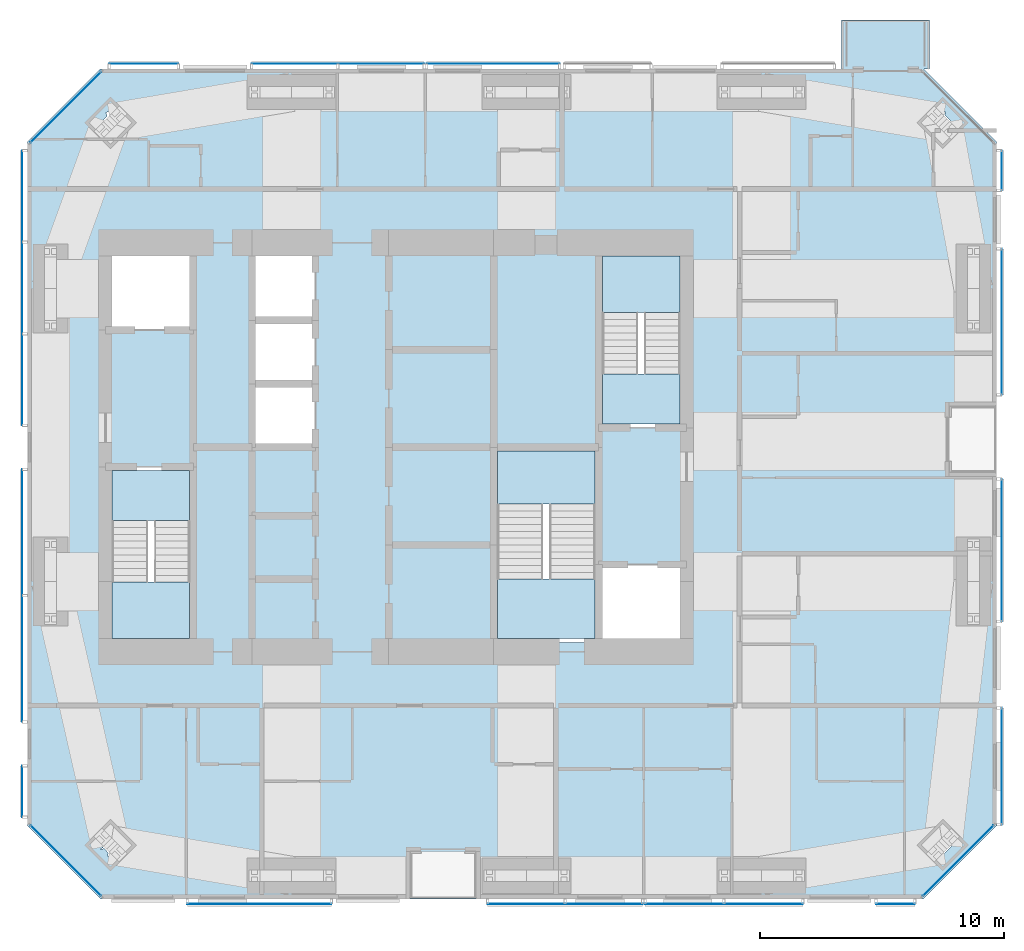
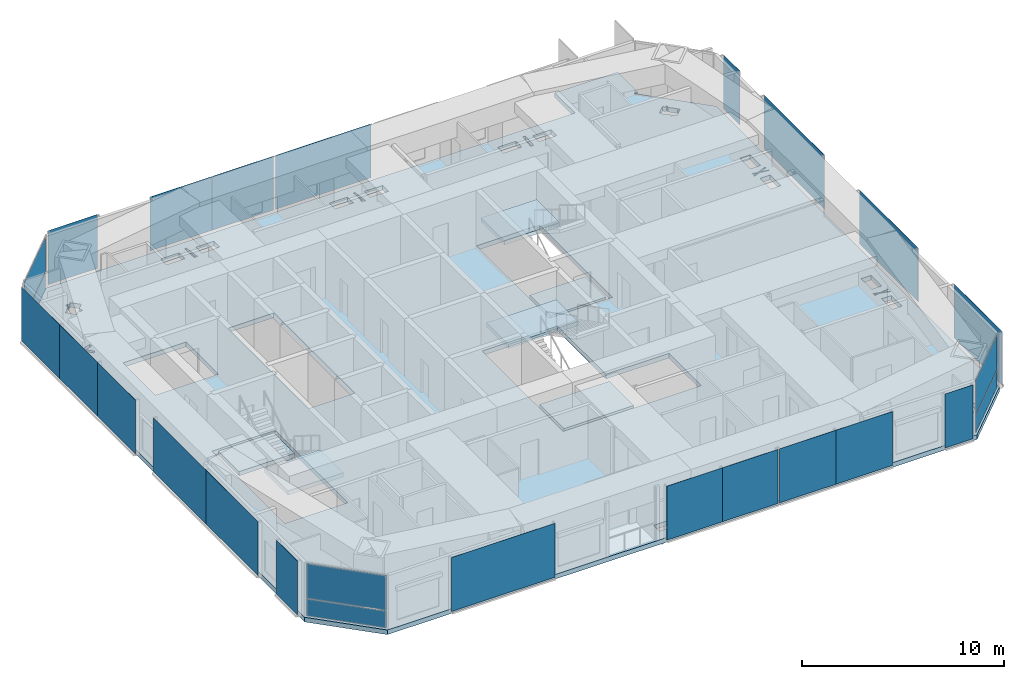
# One storey, part 12 of 19: 26 plates, 7 slabs, 20 elements without a shape of their own.
"""IFC4 building model written with IfcOpenShell, lengths in metres."""

import ifcopenshell
import ifcopenshell.guid

model = None  # the IFC model being written
_history = None  # IfcOwnerHistory: only IFC2X3 demands one
_inside = {}  # id of a spatial element -> (the spatial element, [elements in it])
_under = {}  # id of a project, library or spatial element -> (it, [spatial elements below it])
_declared = {}  # id of a project -> (the project, [libraries it declares])
_typed = {}  # id of a type object -> (the type object, [elements of that type])
_made_of = {}  # id of a material, layer set ... -> (it, [elements and type objects made of it])


def new_model(schema):
    """Start an empty IFC model of exactly this schema.

    Asked for "IFC4X3", IfcOpenShell would pick the latest addendum, in which some entities
    have other attributes; the version numbers below select the first issue.
    IFC2X3 requires an IfcOwnerHistory on every rooted entity: one is made here for all.
    """
    global model, _history
    if schema == "IFC4X3":
        model = ifcopenshell.file(schema_version=(4, 3, 0, 0))
    else:
        model = ifcopenshell.file(schema=schema)
    _inside.clear()
    _under.clear()
    _declared.clear()
    _typed.clear()
    _made_of.clear()
    _history = None
    if model.schema == "IFC2X3":
        org = make("IfcOrganization", Name="unknown")
        user = make(
            "IfcPersonAndOrganization",
            ThePerson=make("IfcPerson", FamilyName="unknown"),
            TheOrganization=org,
        )
        app = make(
            "IfcApplication",
            ApplicationDeveloper=org,
            Version="unknown",
            ApplicationFullName="unknown",
            ApplicationIdentifier="unknown",
        )
        _history = make(
            "IfcOwnerHistory",
            OwningUser=user,
            OwningApplication=app,
            ChangeAction="ADDED",
            CreationDate=0,
        )
    return model


def make(cls, **values):
    """One entity of the class cls with the attributes given. An attribute that is None is left unset."""
    return model.create_entity(
        cls, **{name: value for name, value in values.items() if value is not None}
    )


def rooted(cls, **values):
    """An entity with a GlobalId (a new one), such as an element, a storey or a relation."""
    return make(cls, GlobalId=ifcopenshell.guid.new(), OwnerHistory=_history, **values)


def si_unit(unit_type, name, prefix=None):
    """IfcSIUnit, for example si_unit("LENGTHUNIT", "METRE", prefix="MILLI")."""
    return make("IfcSIUnit", UnitType=unit_type, Prefix=prefix, Name=name)


def assignment(units):
    """IfcUnitAssignment: the units of a project."""
    return None if units is None else make("IfcUnitAssignment", Units=units)


def point(xyz):
    """IfcCartesianPoint."""
    return None if xyz is None else make("IfcCartesianPoint", Coordinates=xyz)


def direction(xyz):
    """IfcDirection."""
    return None if xyz is None else make("IfcDirection", DirectionRatios=xyz)


def frame(location, z_axis=None, x_axis=None):
    """IfcAxis2Placement3D, a coordinate frame: its origin and axes. An axis left out is left unset."""
    return make(
        "IfcAxis2Placement3D",
        Location=point(location),
        Axis=direction(z_axis),
        RefDirection=direction(x_axis),
    )


def frame_2d(location, x_axis=None):
    """IfcAxis2Placement2D, a coordinate frame in the plane: its origin and x axis."""
    return make(
        "IfcAxis2Placement2D", Location=point(location), RefDirection=direction(x_axis)
    )


def origin():
    """The frame at (0, 0, 0) with its axes left unset."""
    return frame((0.0, 0.0, 0.0))


def origin_2d():
    """The frame at (0, 0) in the plane with its x axis left unset."""
    return frame_2d((0.0, 0.0))


def place(relative_to, where):
    """IfcLocalPlacement: puts the frame where relative to a parent placement (None: the world)."""
    return make(
        "IfcLocalPlacement", PlacementRelTo=relative_to, RelativePlacement=where
    )


def context(
    kind, dimensions, precision=None, world=None, true_north=None, identifier=None
):
    """IfcGeometricRepresentationContext, for example the 3D "Model" context."""
    return make(
        "IfcGeometricRepresentationContext",
        ContextIdentifier=identifier,
        ContextType=kind,
        CoordinateSpaceDimension=dimensions,
        Precision=precision,
        WorldCoordinateSystem=world,
        TrueNorth=true_north,
    )


def subcontext(parent, identifier, kind, view, scale=None):
    """IfcGeometricRepresentationSubContext, for example "Body" below "Model"."""
    return make(
        "IfcGeometricRepresentationSubContext",
        ContextIdentifier=identifier,
        ContextType=kind,
        ParentContext=parent,
        TargetScale=scale,
        TargetView=view,
    )


def project(units=None, contexts=None):
    """IfcProject with its units and contexts."""
    return rooted(
        "IfcProject",
        Name="project",
        RepresentationContexts=contexts,
        UnitsInContext=assignment(units),
    )


def spatial(cls, under=None, at=None, **own):
    """A site, building, storey or space (cls), placed at a placement, below another one or the project."""
    s = rooted(cls, ObjectPlacement=at, **own)
    if under is not None:
        _under.setdefault(under.id(), (under, []))[1].append(s)
    return s


def polyline(points):
    """IfcPolyline through the points."""
    return make("IfcPolyline", Points=[point(p) for p in points])


def profile(cls, at=None, kind="AREA", **sizes):
    """A parametric profile (cls). Its sizes go by their IFC names, for example OverallWidth=200.0."""
    return make(cls, ProfileType=kind, Position=at, **sizes)


def rectangle(**sizes):
    """IfcRectangleProfileDef."""
    return profile("IfcRectangleProfileDef", **sizes)


def outline(outer, holes=None, kind="AREA"):
    """IfcArbitraryClosedProfileDef: a profile drawn as a closed curve; with holes, ...WithVoids."""
    if holes is None:
        return make("IfcArbitraryClosedProfileDef", ProfileType=kind, OuterCurve=outer)
    return make(
        "IfcArbitraryProfileDefWithVoids",
        ProfileType=kind,
        OuterCurve=outer,
        InnerCurves=holes,
    )


def extrude(swept, where, along, depth):
    """IfcExtrudedAreaSolid: the profile swept, set in the frame where, extruded along a direction by depth."""
    return make(
        "IfcExtrudedAreaSolid",
        SweptArea=swept,
        Position=where,
        ExtrudedDirection=direction(along),
        Depth=depth,
    )


def shape(context_of_items, identifier, shape_type, items):
    """IfcShapeRepresentation: the items that make up one representation, for example the "Body"."""
    return make(
        "IfcShapeRepresentation",
        ContextOfItems=context_of_items,
        RepresentationIdentifier=identifier,
        RepresentationType=shape_type,
        Items=items,
    )


def material(Name=None, Category=None):
    """IfcMaterial."""
    return make("IfcMaterial", Name=Name, Category=Category)


def layer(
    of_material, thickness, ventilated=None, Name=None, Category=None, Priority=None
):
    """IfcMaterialLayer: one layer of a wall or slab, of a material (None: an air gap)."""
    return make(
        "IfcMaterialLayer",
        Material=of_material,
        LayerThickness=thickness,
        IsVentilated=ventilated,
        Name=Name,
        Category=Category,
        Priority=Priority,
    )


def layer_set(layers, Name=None):
    """IfcMaterialLayerSet."""
    return make("IfcMaterialLayerSet", MaterialLayers=layers, LayerSetName=Name)


def made_of(thing, what):
    """Note that an element or type object is made of a material, layer set ...; save() writes the relation."""
    if what is not None:
        _made_of.setdefault(what.id(), (what, []))[1].append(thing)
    return thing


def type_object(cls, material=None, **own):
    """A type object (cls), such as IfcWallType, which elements share."""
    return made_of(rooted(cls, **own), material)


def element(
    cls,
    number,
    at=None,
    inside=None,
    cuts=None,
    type_object=None,
    material=None,
    context=None,
    identifier="Body",
    shape_type=None,
    held_by="IfcProductDefinitionShape",
    body=None,
    shapes=None,
    **own,
):
    """One element of the class cls, such as IfcWall. Its Tag is "e" and its number.

    at: its placement. inside: the storey or other place that contains it. cuts: it is an
    opening in that element (IfcRelVoidsElement). A single representation is given by context,
    identifier, shape_type and body (its items); several are given by shapes. held_by: the class
    of the entity that holds the representations. save() writes the other relations.
    """
    e = rooted(cls, Tag="e%d" % number, ObjectPlacement=at, **own)
    if body is not None:
        shapes = [shape(context, identifier, shape_type, body)]
    if shapes is not None:
        e.Representation = make(held_by, Representations=shapes)
    if inside is not None:
        _inside.setdefault(inside.id(), (inside, []))[1].append(e)
    if cuts is not None:
        rooted(
            "IfcRelVoidsElement", RelatingBuildingElement=cuts, RelatedOpeningElement=e
        )
    if type_object is not None:
        _typed.setdefault(type_object.id(), (type_object, []))[1].append(e)
    return made_of(e, material)


def aggregate(whole, parts):
    """IfcRelAggregates: a whole, such as a stair, and the parts it consists of."""
    return rooted("IfcRelAggregates", RelatingObject=whole, RelatedObjects=parts)


def save(model, path):
    """Write the relations noted so far, then the file.

    IfcRelAggregates (storeys below a building ...), IfcRelContainedInSpatialStructure (elements
    in a storey), IfcRelDefinesByType, IfcRelAssociatesMaterial and IfcRelDeclares: one each for
    every whole, place, type object, material and project.
    """
    for whole, parts in _under.values():
        aggregate(whole, parts)
    for where, things in _inside.values():
        rooted(
            "IfcRelContainedInSpatialStructure",
            RelatedElements=things,
            RelatingStructure=where,
        )
    for kind, things in _typed.values():
        rooted("IfcRelDefinesByType", RelatedObjects=things, RelatingType=kind)
    for what, things in _made_of.values():
        rooted("IfcRelAssociatesMaterial", RelatedObjects=things, RelatingMaterial=what)
    for by, libraries in _declared.values():
        rooted("IfcRelDeclares", RelatingContext=by, RelatedDefinitions=libraries)
    model.write(path)


model = new_model("IFC4")

# Units and contexts
model_context = context("Model", 3, precision=1e-05, world=origin(), true_north=direction((0.0, 1.0)))
body_context = subcontext(model_context, "Body", "Model", "MODEL_VIEW")
ifc_project = project(units=[si_unit("LENGTHUNIT", "METRE"), si_unit("AREAUNIT", "SQUARE_METRE"), si_unit("VOLUMEUNIT", "CUBIC_METRE"), si_unit("PLANEANGLEUNIT", "RADIAN"), si_unit("MASSUNIT", "GRAM", prefix="KILO")], contexts=[model_context])

# Site, building, storey
site_placement = place(None, origin())
site = spatial("IfcSite", under=ifc_project, at=site_placement, CompositionType="ELEMENT")
building_placement = place(site_placement, origin())
building = spatial("IfcBuilding", under=site, at=building_placement, Name="Jalousie Tower", CompositionType="ELEMENT")
storey_placement = place(building_placement, frame((0.0, 0.0, 217.949951171875)))
storey = spatial("IfcBuildingStorey", under=building, at=storey_placement, Name="L59", CompositionType="ELEMENT", Elevation=217.949951171875)

# Curtain wall, plates
ifc_material_1 = material(Name="Aluminium curtain wall", Category="aluminium")
curtain_wall_type_1 = type_object("IfcCurtainWallType", Name="CORNER WINDOW WALL", PredefinedType="USERDEFINED", material=ifc_material_1)
curtain_wall_1_placement = place(storey_placement, origin())
curtain_wall_1 = element("IfcCurtainWall", 1, at=curtain_wall_1_placement, inside=storey, type_object=curtain_wall_type_1, Name="Corner Window Wall L59 2", ObjectType="CORNER WINDOW WALL", PredefinedType="USERDEFINED")
ifc_material_2 = material(Name="Laminated impact-rated spandrel glass", Category="glass")
ifc_layer_1 = layer(ifc_material_2, 0.028076171875)
ifc_layer_set_1 = layer_set([ifc_layer_1], Name="Laminated impact-rated spandrel glass")
plate_type_1 = type_object("IfcPlateType", Name="CORNER WINDOW WALL PANEL", PredefinedType="CURTAIN_PANEL", material=ifc_layer_set_1)
plate_1_placement = place(storey_placement, frame((54.9306640625, 1.5693359375, 0.06005859375), z_axis=(0.0, 0.0, 1.0), x_axis=(0.707106781187, 0.707106781187, 0.0)))
plate_1 = element("IfcPlate", 2, at=plate_1_placement, type_object=plate_type_1, Name="CW-C panel 1.1", PredefinedType="CURTAIN_PANEL", context=body_context, shape_type="SweptSolid", body=[
    extrude(rectangle(XDim=4.071533203125, YDim=0.028076171875, at=origin_2d()), origin(), (0.0, 0.0, 1.0), 1.010009765625),
])
plate_2_placement = place(storey_placement, frame((54.9306640625, 1.5693359375, 1.1298828125), z_axis=(0.0, 0.0, 1.0), x_axis=(0.707106781187, 0.707106781187, 0.0)))
plate_2 = element("IfcPlate", 3, at=plate_2_placement, type_object=plate_type_1, Name="CW-C panel 1.2", PredefinedType="CURTAIN_PANEL", context=body_context, shape_type="SweptSolid", body=[
    extrude(rectangle(XDim=4.071533203125, YDim=0.028076171875, at=origin_2d()), origin(), (0.0, 0.0, 1.0), 2.070068359375),
])
aggregate(curtain_wall_1, [plate_1, plate_2])

curtain_wall_2_placement = place(storey_placement, origin())
curtain_wall_2 = element("IfcCurtainWall", 4, at=curtain_wall_2_placement, inside=storey, type_object=curtain_wall_type_1, Name="Corner Window Wall L59 6", ObjectType="CORNER WINDOW WALL", PredefinedType="USERDEFINED")
plate_3_placement = place(storey_placement, frame((18.369384765625, 32.4306640625, 0.06005859375), z_axis=(0.0, 0.0, 1.0), x_axis=(-0.707106781187, -0.707106781187, 0.0)))
plate_3 = element("IfcPlate", 5, at=plate_3_placement, type_object=plate_type_1, Name="CW-C panel 1.1", PredefinedType="CURTAIN_PANEL", context=body_context, shape_type="SweptSolid", body=[
    extrude(rectangle(XDim=4.071533203125, YDim=0.028076171875, at=origin_2d()), origin(), (0.0, 0.0, 1.0), 1.010009765625),
])
plate_4_placement = place(storey_placement, frame((18.369384765625, 32.4306640625, 1.1298828125), z_axis=(0.0, 0.0, 1.0), x_axis=(-0.707106781187, -0.707106781187, 0.0)))
plate_4 = element("IfcPlate", 6, at=plate_4_placement, type_object=plate_type_1, Name="CW-C panel 1.2", PredefinedType="CURTAIN_PANEL", context=body_context, shape_type="SweptSolid", body=[
    extrude(rectangle(XDim=4.071533203125, YDim=0.028076171875, at=origin_2d()), origin(), (0.0, 0.0, 1.0), 2.070068359375),
])
aggregate(curtain_wall_2, [plate_3, plate_4])

curtain_wall_3_placement = place(storey_placement, origin())
curtain_wall_3 = element("IfcCurtainWall", 7, at=curtain_wall_3_placement, inside=storey, type_object=curtain_wall_type_1, Name="Corner Window Wall L59 8", ObjectType="CORNER WINDOW WALL", PredefinedType="USERDEFINED")
plate_5_placement = place(storey_placement, frame((18.369384765625, 1.5693359375, 0.06005859375), z_axis=(0.0, 0.0, 1.0), x_axis=(0.707106781187, -0.707106781187, 0.0)))
plate_5 = element("IfcPlate", 8, at=plate_5_placement, type_object=plate_type_1, Name="CW-C panel 1.1", PredefinedType="CURTAIN_PANEL", context=body_context, shape_type="SweptSolid", body=[
    extrude(rectangle(XDim=4.071533203125, YDim=0.028076171875, at=origin_2d()), origin(), (0.0, 0.0, 1.0), 1.010009765625),
])
plate_6_placement = place(storey_placement, frame((18.369384765625, 1.5693359375, 1.1298828125), z_axis=(0.0, 0.0, 1.0), x_axis=(0.707106781187, -0.707106781187, 0.0)))
plate_6 = element("IfcPlate", 9, at=plate_6_placement, type_object=plate_type_1, Name="CW-C panel 1.2", PredefinedType="CURTAIN_PANEL", context=body_context, shape_type="SweptSolid", body=[
    extrude(rectangle(XDim=4.071533203125, YDim=0.028076171875, at=origin_2d()), origin(), (0.0, 0.0, 1.0), 2.070068359375),
])
aggregate(curtain_wall_3, [plate_5, plate_6])

# Slab
ifc_material_3 = material(Name="Concrete f'c 40 MPa", Category="concrete")
ifc_layer_2 = layer(ifc_material_3, 0.280029296875)
ifc_layer_set_2 = layer_set([ifc_layer_2], Name="Concrete f'c 40 MPa")
slab_type_1 = type_object("IfcSlabType", Name="FLOOR SLAB 280", PredefinedType="FLOOR", material=ifc_layer_set_2)
slab_1_placement = place(storey_placement, frame((0.0, 0.0, -0.280029296875)))
element("IfcSlab", 10, at=slab_1_placement, inside=storey, type_object=slab_type_1, Name="L59 floor slab", PredefinedType="FLOOR", context=body_context, shape_type="SweptSolid", body=[
    extrude(outline(polyline([(16.800048828125, 3.0), (16.800048828125, 31.0), (19.800048828125, 34.0), (50.148681640625, 34.0), (50.148681640625, 36.0), (53.748779296875, 36.0), (53.748779296875, 34.0), (53.5, 34.0), (56.5, 31.0), (56.5, 3.0), (53.5, 0.0), (19.800048828125, 0.0), (16.800048828125, 3.0)]), holes=[polyline([(55.398681640625, 25.022216796875), (55.104736328125, 25.06494140625), (55.100341796875, 25.034423828125), (55.34228515625, 24.999267578125), (55.10400390625, 24.90283203125), (55.1328125, 24.831298828125), (55.49365234375, 24.977294921875), (55.990966796875, 24.90478515625), (55.995361328125, 24.93505859375), (55.550048828125, 25.0), (55.967041015625, 25.168701171875), (55.938232421875, 25.240478515625), (55.398681640625, 25.022216796875)]), polyline([(55.100341796875, 12.965576171875), (55.104736328125, 12.93505859375), (55.4501953125, 12.9853515625), (55.9716796875, 12.83740234375), (55.98291015625, 12.877197265625), (55.550048828125, 13.0), (55.995361328125, 13.06494140625), (55.990966796875, 13.09521484375), (55.477783203125, 13.0205078125), (55.1171875, 13.122802734375), (55.105712890625, 13.0830078125), (55.377685546875, 13.005859375), (55.100341796875, 12.965576171875)]), polyline([(55.836181640625, 24.520751953125), (55.263916015625, 24.520751953125), (55.263916015625, 23.47509765625), (55.836181640625, 23.47509765625), (55.836181640625, 24.520751953125)]), polyline([(55.836181640625, 12.520751953125), (55.263916015625, 12.520751953125), (55.263916015625, 11.47509765625), (55.836181640625, 11.47509765625), (55.836181640625, 12.520751953125)]), polyline([(55.263916015625, 25.479248046875), (55.836181640625, 25.479248046875), (55.836181640625, 26.52490234375), (55.263916015625, 26.52490234375), (55.263916015625, 25.479248046875)]), polyline([(55.263916015625, 13.479248046875), (55.836181640625, 13.479248046875), (55.836181640625, 14.52490234375), (55.263916015625, 14.52490234375), (55.263916015625, 13.479248046875)]), polyline([(54.286376953125, 1.7958984375), (54.2919921875, 1.753173828125), (54.351318359375, 1.760986328125), (54.33984375, 1.84912109375), (54.718505859375, 2.227783203125), (54.742431640625, 2.22900390625), (54.7412109375, 2.250732421875), (54.8134765625, 2.322998046875), (54.40869140625, 2.727783203125), (54.24609375, 2.56494140625), (54.234375, 2.6533203125), (54.175048828125, 2.6455078125), (54.1923828125, 2.511474609375), (53.914306640625, 2.233154296875), (53.84130859375, 2.2294921875), (53.843505859375, 2.185302734375), (53.867431640625, 2.186279296875), (53.772216796875, 2.09130859375), (54.177001953125, 1.6865234375), (54.286376953125, 1.7958984375)]), polyline([(54.189208984375, 31.35498046875), (54.215576171875, 31.465576171875), (54.40869140625, 31.272216796875), (54.8134765625, 31.677001953125), (54.740966796875, 31.74951171875), (54.741943359375, 31.76318359375), (54.726318359375, 31.76416015625), (54.370361328125, 32.1201171875), (54.396484375, 32.230712890625), (54.34033203125, 32.244140625), (54.322509765625, 32.168212890625), (54.177001953125, 32.3134765625), (53.772216796875, 31.90869140625), (53.859619140625, 31.821533203125), (53.843994140625, 31.822509765625), (53.8369140625, 31.718505859375), (53.9716796875, 31.70947265625), (54.16748046875, 31.513427734375), (54.13330078125, 31.368408203125), (54.189208984375, 31.35498046875)]), polyline([(47.354248046875, 1.236083984375), (47.354248046875, 0.663818359375), (48.39990234375, 0.663818359375), (48.39990234375, 1.236083984375), (47.354248046875, 1.236083984375)]), polyline([(47.354248046875, 33.336181640625), (47.354248046875, 32.763916015625), (48.39990234375, 32.763916015625), (48.39990234375, 33.336181640625), (47.354248046875, 33.336181640625)]), polyline([(46.875, 0.5), (46.875, 0.949951171875), (46.977783203125, 0.511962890625), (47.10107421875, 0.540771484375), (46.8955078125, 1.4169921875), (46.772216796875, 1.38818359375), (46.843017578125, 1.08642578125), (46.843017578125, 0.5), (46.875, 0.5)]), polyline([(46.875, 33.050048828125), (46.849853515625, 32.6005859375), (46.9794921875, 32.593505859375), (47.02978515625, 33.491943359375), (46.90625, 33.4990234375), (46.880859375, 33.501220703125), (46.80615234375, 32.604248046875), (46.837646484375, 32.6015625), (46.875, 33.050048828125)]), polyline([(46.395751953125, 1.236083984375), (45.35009765625, 1.236083984375), (45.35009765625, 0.663818359375), (46.395751953125, 0.663818359375), (46.395751953125, 1.236083984375)]), polyline([(46.395751953125, 32.763916015625), (46.395751953125, 33.336181640625), (45.35009765625, 33.336181640625), (45.35009765625, 32.763916015625), (46.395751953125, 32.763916015625)]), polyline([(40.199951171875, 13.699951171875), (40.199951171875, 18.5), (35.89990234375, 18.5), (35.89990234375, 10.5), (43.800048828125, 10.5), (43.800048828125, 13.699951171875), (40.199951171875, 13.699951171875)]), polyline([(43.800048828125, 19.300048828125), (43.800048828125, 26.5), (40.199951171875, 26.5), (40.199951171875, 19.300048828125), (43.800048828125, 19.300048828125)]), polyline([(37.729248046875, 33.336181640625), (37.729248046875, 32.763916015625), (38.77490234375, 32.763916015625), (38.77490234375, 33.336181640625), (37.729248046875, 33.336181640625)]), polyline([(37.729248046875, 1.236083984375), (37.729248046875, 0.663818359375), (38.77490234375, 0.663818359375), (38.77490234375, 1.236083984375), (37.729248046875, 1.236083984375)]), polyline([(37.2841796875, 33.47021484375), (37.286376953125, 33.49853515625), (37.2802734375, 33.4990234375), (37.279052734375, 33.5078125), (37.19091796875, 33.49609375), (37.232421875, 33.183837890625), (37.185302734375, 32.603759765625), (37.213623046875, 32.6015625), (37.25, 33.050048828125), (37.30908203125, 32.60400390625), (37.397216796875, 32.615478515625), (37.2841796875, 33.47021484375)]), polyline([(37.340087890625, 1.39990234375), (37.22119140625, 1.39990234375), (37.22119140625, 0.5), (37.340087890625, 0.5), (37.340087890625, 1.39990234375)]), polyline([(36.770751953125, 32.763916015625), (36.770751953125, 33.336181640625), (35.72509765625, 33.336181640625), (35.72509765625, 32.763916015625), (36.770751953125, 32.763916015625)]), polyline([(36.770751953125, 0.663818359375), (36.770751953125, 1.236083984375), (35.72509765625, 1.236083984375), (35.72509765625, 0.663818359375), (36.770751953125, 0.663818359375)]), polyline([(28.104248046875, 33.336181640625), (28.104248046875, 32.763916015625), (29.14990234375, 32.763916015625), (29.14990234375, 33.336181640625), (28.104248046875, 33.336181640625)]), polyline([(28.104248046875, 1.236083984375), (28.104248046875, 0.663818359375), (29.14990234375, 0.663818359375), (29.14990234375, 1.236083984375), (28.104248046875, 1.236083984375)]), polyline([(28.60009765625, 18.5), (28.60009765625, 26.5), (26.0, 26.5), (26.0, 18.5), (28.60009765625, 18.5)]), polyline([(27.638671875, 32.60009765625), (27.625, 33.050048828125), (27.6865234375, 32.604248046875), (27.77978515625, 32.6171875), (27.656982421875, 33.5087890625), (27.58740234375, 33.4990234375), (27.561279296875, 33.498291015625), (27.588623046875, 32.5986328125), (27.638671875, 32.60009765625)]), polyline([(27.625, 0.949951171875), (27.625, 0.5), (27.720703125, 0.5), (27.720703125, 1.39990234375), (27.6533203125, 1.39990234375), (27.6328125, 1.402587890625), (27.632568359375, 1.39990234375), (27.625, 1.39990234375), (27.625, 1.34033203125), (27.51953125, 0.509765625), (27.568359375, 0.503662109375), (27.625, 0.949951171875)]), polyline([(27.145751953125, 1.236083984375), (26.10009765625, 1.236083984375), (26.10009765625, 0.663818359375), (27.145751953125, 0.663818359375), (27.145751953125, 1.236083984375)]), polyline([(27.145751953125, 32.763916015625), (27.145751953125, 33.336181640625), (26.10009765625, 33.336181640625), (26.10009765625, 32.763916015625), (27.145751953125, 32.763916015625)]), polyline([(23.60009765625, 10.5), (23.60009765625, 17.699951171875), (20.0, 17.699951171875), (20.0, 10.5), (23.60009765625, 10.5)]), polyline([(23.60009765625, 23.300048828125), (23.60009765625, 26.5), (20.0, 26.5), (20.0, 23.300048828125), (23.60009765625, 23.300048828125)]), polyline([(19.6865234375, 31.677001953125), (20.09130859375, 31.272216796875), (20.33740234375, 31.518310546875), (20.39990234375, 31.38623046875), (20.52587890625, 31.446044921875), (20.44189453125, 31.623046875), (20.727783203125, 31.90869140625), (20.322998046875, 32.3134765625), (20.181640625, 32.172119140625), (20.140380859375, 32.25927734375), (20.014404296875, 32.199462890625), (20.076904296875, 32.0673828125), (19.6865234375, 31.677001953125)]), polyline([(20.122802734375, 1.886474609375), (20.0927734375, 1.77197265625), (20.236572265625, 1.734130859375), (20.24462890625, 1.764892578125), (20.322998046875, 1.6865234375), (20.727783203125, 2.09130859375), (20.482666015625, 2.33642578125), (20.614501953125, 2.398193359375), (20.601318359375, 2.426025390625), (20.45947265625, 2.359619140625), (20.4130859375, 2.406005859375), (20.465087890625, 2.6044921875), (20.3212890625, 2.642333984375), (20.291259765625, 2.527587890625), (20.09130859375, 2.727783203125), (19.6865234375, 2.322998046875), (19.908447265625, 2.10107421875), (19.78662109375, 2.043701171875), (19.7998046875, 2.015869140625), (19.931640625, 2.077880859375), (20.122802734375, 1.886474609375)]), polyline([(19.2861328125, 28.06787109375), (18.978515625, 28.396484375), (19.3974609375, 28.56103515625), (19.34033203125, 28.7060546875), (18.864013671875, 28.518798828125), (18.671142578125, 28.724853515625), (18.564208984375, 28.624755859375), (18.71728515625, 28.4609375), (18.502685546875, 28.376708984375), (18.559814453125, 28.231689453125), (18.831787109375, 28.338623046875), (19.17919921875, 27.9677734375), (19.2861328125, 28.06787109375)]), polyline([(17.6162109375, 13.00341796875), (17.300048828125, 13.01171875), (17.298828125, 12.962890625), (17.400146484375, 12.960205078125), (17.302978515625, 12.94091796875), (17.30859375, 12.91162109375), (17.533935546875, 12.956787109375), (18.198486328125, 12.939697265625), (18.199951171875, 12.98828125), (17.75, 13.0), (18.19140625, 13.08837890625), (18.185546875, 13.1171875), (17.6162109375, 13.00341796875)]), polyline([(18.19140625, 24.91162109375), (17.30859375, 25.08837890625), (17.302978515625, 25.05908203125), (18.185546875, 24.8828125), (18.19140625, 24.91162109375)]), polyline([(17.4638671875, 13.479248046875), (18.0361328125, 13.479248046875), (18.0361328125, 14.52490234375), (17.4638671875, 14.52490234375), (17.4638671875, 13.479248046875)]), polyline([(18.0361328125, 24.520751953125), (17.4638671875, 24.520751953125), (17.4638671875, 23.47509765625), (18.0361328125, 23.47509765625), (18.0361328125, 24.520751953125)]), polyline([(18.0361328125, 12.520751953125), (17.4638671875, 12.520751953125), (17.4638671875, 11.47509765625), (18.0361328125, 11.47509765625), (18.0361328125, 12.520751953125)]), polyline([(17.4638671875, 25.479248046875), (18.0361328125, 25.479248046875), (18.0361328125, 26.52490234375), (17.4638671875, 26.52490234375), (17.4638671875, 25.479248046875)])]), origin(), (0.0, 0.0, 1.0), 0.280029296875),
])

# Curtain wall, plate
ifc_material_4 = material(Name="Perforated aluminium sheet", Category="aluminium")
curtain_wall_type_2 = type_object("IfcCurtainWallType", Name="SOLAR SCREEN SS-2", PredefinedType="USERDEFINED", material=ifc_material_4)
curtain_wall_4_placement = place(storey_placement, origin())
curtain_wall_4 = element("IfcCurtainWall", 11, at=curtain_wall_4_placement, inside=storey, type_object=curtain_wall_type_2, Name="Solar screen L59", ObjectType="SOLAR SCREEN SS-2", PredefinedType="USERDEFINED")
ifc_material_5 = material(Name="Perforated aluminium sheet", Category="aluminium")
ifc_layer_3 = layer(ifc_material_5, 0.006103515625)
ifc_layer_set_3 = layer_set([ifc_layer_3], Name="Perforated aluminium sheet")
plate_type_2 = type_object("IfcPlateType", Name="SOLAR SCREEN SS-2 PANEL", PredefinedType="CURTAIN_PANEL", material=ifc_layer_set_3)
plate_7_placement = place(storey_placement, frame((26.300048828125, -0.201171875, 0.0), z_axis=(0.0, 0.0, 1.0), x_axis=(1.0, 0.0, 0.0)))
plate_7 = element("IfcPlate", 12, at=plate_7_placement, type_object=plate_type_2, Name="SS2 perforated panel 1", PredefinedType="CURTAIN_PANEL", context=body_context, shape_type="SweptSolid", body=[
    extrude(rectangle(XDim=5.89990234375, YDim=0.006103515625, at=origin_2d()), origin(), (0.0, 0.0, 1.0), 3.260009765625),
])
aggregate(curtain_wall_4, [plate_7])

# Curtain wall, plates
curtain_wall_5_placement = place(storey_placement, origin())
curtain_wall_5 = element("IfcCurtainWall", 13, at=curtain_wall_5_placement, inside=storey, type_object=curtain_wall_type_2, Name="Solar screen L59", ObjectType="SOLAR SCREEN SS-2", PredefinedType="USERDEFINED")
plate_8_placement = place(storey_placement, frame((37.237548828125, -0.201171875, 0.0), z_axis=(0.0, 0.0, 1.0), x_axis=(1.0, 0.0, 0.0)))
plate_8 = element("IfcPlate", 14, at=plate_8_placement, type_object=plate_type_2, Name="SS2 perforated panel 1", PredefinedType="CURTAIN_PANEL", context=body_context, shape_type="SweptSolid", body=[
    extrude(rectangle(XDim=3.175048828125, YDim=0.006103515625, at=origin_2d()), origin(), (0.0, 0.0, 1.0), 3.260009765625),
])
plate_9_placement = place(storey_placement, frame((40.41259765625, -0.201171875, 0.0), z_axis=(0.0, 0.0, 1.0), x_axis=(1.0, 0.0, 0.0)))
plate_9 = element("IfcPlate", 15, at=plate_9_placement, type_object=plate_type_2, Name="SS2 perforated panel 2", PredefinedType="CURTAIN_PANEL", context=body_context, shape_type="SweptSolid", body=[
    extrude(rectangle(XDim=3.175048828125, YDim=0.006103515625, at=origin_2d()), origin(), (0.0, 0.0, 1.0), 3.260009765625),
])
aggregate(curtain_wall_5, [plate_8, plate_9])

curtain_wall_6_placement = place(storey_placement, origin())
curtain_wall_6 = element("IfcCurtainWall", 16, at=curtain_wall_6_placement, inside=storey, type_object=curtain_wall_type_2, Name="Solar screen L59", ObjectType="SOLAR SCREEN SS-2", PredefinedType="USERDEFINED")
plate_10_placement = place(storey_placement, frame((43.71484375, -0.201171875, 0.0), z_axis=(0.0, 0.0, 1.0), x_axis=(1.0, 0.0, 0.0)))
plate_10 = element("IfcPlate", 17, at=plate_10_placement, type_object=plate_type_2, Name="SS2 perforated panel 1", PredefinedType="CURTAIN_PANEL", context=body_context, shape_type="SweptSolid", body=[
    extrude(rectangle(XDim=3.229736328125, YDim=0.006103515625, at=origin_2d()), origin(), (0.0, 0.0, 1.0), 3.260009765625),
])
plate_11_placement = place(storey_placement, frame((46.944580078125, -0.201171875, 0.0), z_axis=(0.0, 0.0, 1.0), x_axis=(1.0, 0.0, 0.0)))
plate_11 = element("IfcPlate", 18, at=plate_11_placement, type_object=plate_type_2, Name="SS2 perforated panel 2", PredefinedType="CURTAIN_PANEL", context=body_context, shape_type="SweptSolid", body=[
    extrude(rectangle(XDim=3.229736328125, YDim=0.006103515625, at=origin_2d()), origin(), (0.0, 0.0, 1.0), 3.260009765625),
])
aggregate(curtain_wall_6, [plate_10, plate_11])

# Curtain wall, plate
curtain_wall_7_placement = place(storey_placement, origin())
curtain_wall_7 = element("IfcCurtainWall", 19, at=curtain_wall_7_placement, inside=storey, type_object=curtain_wall_type_2, Name="Solar screen L59", ObjectType="SOLAR SCREEN SS-2", PredefinedType="USERDEFINED")
plate_12_placement = place(storey_placement, frame((52.35400390625, -0.201171875, 0.0), z_axis=(0.0, 0.0, 1.0), x_axis=(1.0, 0.0, 0.0)))
plate_12 = element("IfcPlate", 20, at=plate_12_placement, type_object=plate_type_2, Name="SS2 perforated panel 1", PredefinedType="CURTAIN_PANEL", context=body_context, shape_type="SweptSolid", body=[
    extrude(rectangle(XDim=1.58935546875, YDim=0.006103515625, at=origin_2d()), origin(), (0.0, 0.0, 1.0), 3.260009765625),
])
aggregate(curtain_wall_7, [plate_12])

curtain_wall_8_placement = place(storey_placement, origin())
curtain_wall_8 = element("IfcCurtainWall", 21, at=curtain_wall_8_placement, inside=storey, type_object=curtain_wall_type_2, Name="Solar screen L59", ObjectType="SOLAR SCREEN SS-2", PredefinedType="USERDEFINED")
plate_13_placement = place(storey_placement, frame((56.701171875, 5.438232421875, 0.0), z_axis=(0.0, 0.0, 1.0), x_axis=(0.0, 1.0, 0.0)))
plate_13 = element("IfcPlate", 22, at=plate_13_placement, type_object=plate_type_2, Name="SS2 perforated panel 1", PredefinedType="CURTAIN_PANEL", context=body_context, shape_type="SweptSolid", body=[
    extrude(rectangle(XDim=4.773681640625, YDim=0.006103515625, at=origin_2d()), origin(), (0.0, 0.0, 1.0), 3.260009765625),
])
aggregate(curtain_wall_8, [plate_13])

curtain_wall_9_placement = place(storey_placement, origin())
curtain_wall_9 = element("IfcCurtainWall", 23, at=curtain_wall_9_placement, inside=storey, type_object=curtain_wall_type_2, Name="Solar screen L59", ObjectType="SOLAR SCREEN SS-2", PredefinedType="USERDEFINED")
plate_14_placement = place(storey_placement, frame((56.701171875, 14.28369140625, 0.0), z_axis=(0.0, 0.0, 1.0), x_axis=(0.0, 1.0, 0.0)))
plate_14 = element("IfcPlate", 24, at=plate_14_placement, type_object=plate_type_2, Name="SS2 perforated panel 1", PredefinedType="CURTAIN_PANEL", context=body_context, shape_type="SweptSolid", body=[
    extrude(rectangle(XDim=5.83251953125, YDim=0.006103515625, at=origin_2d()), origin(), (0.0, 0.0, 1.0), 3.260009765625),
])
aggregate(curtain_wall_9, [plate_14])

curtain_wall_10_placement = place(storey_placement, origin())
curtain_wall_10 = element("IfcCurtainWall", 25, at=curtain_wall_10_placement, inside=storey, type_object=curtain_wall_type_2, Name="Solar screen L59", ObjectType="SOLAR SCREEN SS-2", PredefinedType="USERDEFINED")
plate_15_placement = place(storey_placement, frame((56.701171875, 23.637451171875, 0.0), z_axis=(0.0, 0.0, 1.0), x_axis=(0.0, 1.0, 0.0)))
plate_15 = element("IfcPlate", 26, at=plate_15_placement, type_object=plate_type_2, Name="SS2 perforated panel 1", PredefinedType="CURTAIN_PANEL", context=body_context, shape_type="SweptSolid", body=[
    extrude(rectangle(XDim=5.97509765625, YDim=0.006103515625, at=origin_2d()), origin(), (0.0, 0.0, 1.0), 3.260009765625),
])
aggregate(curtain_wall_10, [plate_15])

curtain_wall_11_placement = place(storey_placement, origin())
curtain_wall_11 = element("IfcCurtainWall", 27, at=curtain_wall_11_placement, inside=storey, type_object=curtain_wall_type_2, Name="Solar screen L59", ObjectType="SOLAR SCREEN SS-2", PredefinedType="USERDEFINED")
plate_16_placement = place(storey_placement, frame((56.701171875, 29.8369140625, 0.0), z_axis=(0.0, 0.0, 1.0), x_axis=(0.0, 1.0, 0.0)))
plate_16 = element("IfcPlate", 28, at=plate_16_placement, type_object=plate_type_2, Name="SS2 perforated panel 1", PredefinedType="CURTAIN_PANEL", context=body_context, shape_type="SweptSolid", body=[
    extrude(rectangle(XDim=1.623779296875, YDim=0.006103515625, at=origin_2d()), origin(), (0.0, 0.0, 1.0), 3.260009765625),
])
aggregate(curtain_wall_11, [plate_16])

curtain_wall_12_placement = place(storey_placement, origin())
curtain_wall_12 = element("IfcCurtainWall", 29, at=curtain_wall_12_placement, inside=storey, type_object=curtain_wall_type_2, Name="Solar screen L59", ObjectType="SOLAR SCREEN SS-2", PredefinedType="USERDEFINED")
plate_17_placement = place(storey_placement, frame((35.875, 34.201171875, 0.0), z_axis=(0.0, 0.0, 1.0), x_axis=(-1.0, 0.0, 0.0)))
plate_17 = element("IfcPlate", 30, at=plate_17_placement, type_object=plate_type_2, Name="SS2 perforated panel 1", PredefinedType="CURTAIN_PANEL", context=body_context, shape_type="SweptSolid", body=[
    extrude(rectangle(XDim=5.449951171875, YDim=0.006103515625, at=origin_2d()), origin(), (0.0, 0.0, 1.0), 3.260009765625),
])
aggregate(curtain_wall_12, [plate_17])

# Curtain wall, plates
curtain_wall_13_placement = place(storey_placement, origin())
curtain_wall_13 = element("IfcCurtainWall", 31, at=curtain_wall_13_placement, inside=storey, type_object=curtain_wall_type_2, Name="Solar screen L59", ObjectType="SOLAR SCREEN SS-2", PredefinedType="USERDEFINED")
plate_18_placement = place(storey_placement, frame((31.284423828125, 34.201171875, 0.0), z_axis=(0.0, 0.0, 1.0), x_axis=(-1.0, 0.0, 0.0)))
plate_18 = element("IfcPlate", 32, at=plate_18_placement, type_object=plate_type_2, Name="SS2 perforated panel 1", PredefinedType="CURTAIN_PANEL", context=body_context, shape_type="SweptSolid", body=[
    extrude(rectangle(XDim=3.531005859375, YDim=0.006103515625, at=origin_2d()), origin(), (0.0, 0.0, 1.0), 3.260009765625),
])
plate_19_placement = place(storey_placement, frame((27.753662109375, 34.201171875, 0.0), z_axis=(0.0, 0.0, 1.0), x_axis=(-1.0, 0.0, 0.0)))
plate_19 = element("IfcPlate", 33, at=plate_19_placement, type_object=plate_type_2, Name="SS2 perforated panel 2", PredefinedType="CURTAIN_PANEL", context=body_context, shape_type="SweptSolid", body=[
    extrude(rectangle(XDim=3.531005859375, YDim=0.006103515625, at=origin_2d()), origin(), (0.0, 0.0, 1.0), 3.260009765625),
])
aggregate(curtain_wall_13, [plate_18, plate_19])

# Curtain wall, plate
curtain_wall_14_placement = place(storey_placement, origin())
curtain_wall_14 = element("IfcCurtainWall", 34, at=curtain_wall_14_placement, inside=storey, type_object=curtain_wall_type_2, Name="Solar screen L59", ObjectType="SOLAR SCREEN SS-2", PredefinedType="USERDEFINED")
plate_20_placement = place(storey_placement, frame((21.569580078125, 34.201171875, 0.0), z_axis=(0.0, 0.0, 1.0), x_axis=(-1.0, 0.0, 0.0)))
plate_20 = element("IfcPlate", 35, at=plate_20_placement, type_object=plate_type_2, Name="SS2 perforated panel 1", PredefinedType="CURTAIN_PANEL", context=body_context, shape_type="SweptSolid", body=[
    extrude(rectangle(XDim=2.8369140625, YDim=0.006103515625, at=origin_2d()), origin(), (0.0, 0.0, 1.0), 3.260009765625),
])
aggregate(curtain_wall_14, [plate_20])

# Curtain wall, plates
curtain_wall_15_placement = place(storey_placement, origin())
curtain_wall_15 = element("IfcCurtainWall", 36, at=curtain_wall_15_placement, inside=storey, type_object=curtain_wall_type_2, Name="Solar screen L59", ObjectType="SOLAR SCREEN SS-2", PredefinedType="USERDEFINED")
plate_21_placement = place(storey_placement, frame((16.598876953125, 28.77392578125, 0.0), z_axis=(0.0, 0.0, 1.0), x_axis=(0.0, -1.0, 0.0)))
plate_21 = element("IfcPlate", 37, at=plate_21_placement, type_object=plate_type_2, Name="SS2 perforated panel 1", PredefinedType="CURTAIN_PANEL", context=body_context, shape_type="SweptSolid", body=[
    extrude(rectangle(XDim=3.74951171875, YDim=0.006103515625, at=origin_2d()), origin(), (0.0, 0.0, 1.0), 3.260009765625),
])
plate_22_placement = place(storey_placement, frame((16.598876953125, 25.0244140625, 0.0), z_axis=(0.0, 0.0, 1.0), x_axis=(0.0, -1.0, 0.0)))
plate_22 = element("IfcPlate", 38, at=plate_22_placement, type_object=plate_type_2, Name="SS2 perforated panel 2", PredefinedType="CURTAIN_PANEL", context=body_context, shape_type="SweptSolid", body=[
    extrude(rectangle(XDim=3.74951171875, YDim=0.006103515625, at=origin_2d()), origin(), (0.0, 0.0, 1.0), 3.260009765625),
])
plate_23_placement = place(storey_placement, frame((16.598876953125, 21.27490234375, 0.0), z_axis=(0.0, 0.0, 1.0), x_axis=(0.0, -1.0, 0.0)))
plate_23 = element("IfcPlate", 39, at=plate_23_placement, type_object=plate_type_2, Name="SS2 perforated panel 3", PredefinedType="CURTAIN_PANEL", context=body_context, shape_type="SweptSolid", body=[
    extrude(rectangle(XDim=3.74951171875, YDim=0.006103515625, at=origin_2d()), origin(), (0.0, 0.0, 1.0), 3.260009765625),
])
aggregate(curtain_wall_15, [plate_21, plate_22, plate_23])

curtain_wall_16_placement = place(storey_placement, origin())
curtain_wall_16 = element("IfcCurtainWall", 40, at=curtain_wall_16_placement, inside=storey, type_object=curtain_wall_type_2, Name="Solar screen L59", ObjectType="SOLAR SCREEN SS-2", PredefinedType="USERDEFINED")
plate_24_placement = place(storey_placement, frame((16.598876953125, 15.012451171875, 0.0), z_axis=(0.0, 0.0, 1.0), x_axis=(0.0, -1.0, 0.0)))
plate_24 = element("IfcPlate", 41, at=plate_24_placement, type_object=plate_type_2, Name="SS2 perforated panel 1", PredefinedType="CURTAIN_PANEL", context=body_context, shape_type="SweptSolid", body=[
    extrude(rectangle(XDim=5.175048828125, YDim=0.006103515625, at=origin_2d()), origin(), (0.0, 0.0, 1.0), 3.260009765625),
])
plate_25_placement = place(storey_placement, frame((16.598876953125, 9.83740234375, 0.0), z_axis=(0.0, 0.0, 1.0), x_axis=(0.0, -1.0, 0.0)))
plate_25 = element("IfcPlate", 42, at=plate_25_placement, type_object=plate_type_2, Name="SS2 perforated panel 2", PredefinedType="CURTAIN_PANEL", context=body_context, shape_type="SweptSolid", body=[
    extrude(rectangle(XDim=5.175048828125, YDim=0.006103515625, at=origin_2d()), origin(), (0.0, 0.0, 1.0), 3.260009765625),
])
aggregate(curtain_wall_16, [plate_24, plate_25])

# Curtain wall, plate
curtain_wall_17_placement = place(storey_placement, origin())
curtain_wall_17 = element("IfcCurtainWall", 43, at=curtain_wall_17_placement, inside=storey, type_object=curtain_wall_type_2, Name="Solar screen L59", ObjectType="SOLAR SCREEN SS-2", PredefinedType="USERDEFINED")
plate_26_placement = place(storey_placement, frame((16.598876953125, 4.400634765625, 0.0), z_axis=(0.0, 0.0, 1.0), x_axis=(0.0, -1.0, 0.0)))
plate_26 = element("IfcPlate", 44, at=plate_26_placement, type_object=plate_type_2, Name="SS2 perforated panel 1", PredefinedType="CURTAIN_PANEL", context=body_context, shape_type="SweptSolid", body=[
    extrude(rectangle(XDim=2.0986328125, YDim=0.006103515625, at=origin_2d()), origin(), (0.0, 0.0, 1.0), 3.260009765625),
])
aggregate(curtain_wall_17, [plate_26])

# Stair, slabs
ifc_material_6 = material(Name="Concrete f'c 40 MPa", Category="concrete")
stair_type = type_object("IfcStairType", Name="EXIT STAIR", PredefinedType="HALF_TURN_STAIR", material=ifc_material_6)
stair_1_placement = place(storey_placement, origin())
stair_1 = element("IfcStair", 45, at=stair_1_placement, inside=storey, type_object=stair_type, Name="Exit stair A L59", PredefinedType="HALF_TURN_STAIR")
ifc_material_7 = material(Name="Concrete f'c 40 MPa", Category="concrete")
ifc_layer_4 = layer(ifc_material_7, 0.25)
ifc_layer_set_4 = layer_set([ifc_layer_4], Name="Concrete f'c 40 MPa")
slab_type_2 = type_object("IfcSlabType", Name="STAIR LANDING 250", PredefinedType="LANDING", material=ifc_layer_set_4)
slab_2_placement = place(storey_placement, frame((0.0, 0.0, -0.25)))
slab_2 = element("IfcSlab", 46, at=slab_2_placement, type_object=slab_type_2, Name="ST-A landing 1", PredefinedType="LANDING", context=body_context, shape_type="SweptSolid", body=[
    extrude(outline(polyline([(20.27490234375, 15.49755859375), (23.449951171875, 15.49755859375), (23.449951171875, 17.550048828125), (20.27490234375, 17.550048828125), (20.27490234375, 15.49755859375)])), origin(), (0.0, 0.0, 1.0), 0.25),
])
slab_3_placement = place(storey_placement, frame((0.0, 0.0, 1.5)))
slab_3 = element("IfcSlab", 47, at=slab_3_placement, type_object=slab_type_2, Name="ST-A landing 2", PredefinedType="LANDING", context=body_context, shape_type="SweptSolid", body=[
    extrude(outline(polyline([(20.27490234375, 10.675048828125), (23.449951171875, 10.675048828125), (23.449951171875, 12.9775390625), (20.27490234375, 12.9775390625), (20.27490234375, 10.675048828125)])), origin(), (0.0, 0.0, 1.0), 0.25),
])
aggregate(stair_1, [slab_2, slab_3])

stair_2_placement = place(storey_placement, origin())
stair_2 = element("IfcStair", 48, at=stair_2_placement, inside=storey, type_object=stair_type, Name="Exit stair B L59", PredefinedType="HALF_TURN_STAIR")
slab_4_placement = place(storey_placement, frame((0.0, 0.0, -0.25)))
slab_4 = element("IfcSlab", 49, at=slab_4_placement, type_object=slab_type_2, Name="ST-B landing 1", PredefinedType="LANDING", context=body_context, shape_type="SweptSolid", body=[
    extrude(outline(polyline([(40.35009765625, 19.449951171875), (43.52490234375, 19.449951171875), (43.52490234375, 21.50244140625), (40.35009765625, 21.50244140625), (40.35009765625, 19.449951171875)])), origin(), (0.0, 0.0, 1.0), 0.25),
])
slab_5_placement = place(storey_placement, frame((0.0, 0.0, 1.5)))
slab_5 = element("IfcSlab", 50, at=slab_5_placement, type_object=slab_type_2, Name="ST-B landing 2", PredefinedType="LANDING", context=body_context, shape_type="SweptSolid", body=[
    extrude(outline(polyline([(40.35009765625, 24.0224609375), (43.52490234375, 24.0224609375), (43.52490234375, 26.324951171875), (40.35009765625, 26.324951171875), (40.35009765625, 24.0224609375)])), origin(), (0.0, 0.0, 1.0), 0.25),
])
aggregate(stair_2, [slab_4, slab_5])

stair_3_placement = place(storey_placement, origin())
stair_3 = element("IfcStair", 51, at=stair_3_placement, inside=storey, type_object=stair_type, Name="Exit stair C L59", PredefinedType="HALF_TURN_STAIR")
slab_6_placement = place(storey_placement, frame((0.0, 0.0, -0.25)))
slab_6 = element("IfcSlab", 52, at=slab_6_placement, type_object=slab_type_2, Name="ST-C landing 1", PredefinedType="LANDING", context=body_context, shape_type="SweptSolid", body=[
    extrude(outline(polyline([(36.050048828125, 10.675048828125), (40.050048828125, 10.675048828125), (40.050048828125, 13.097412109375), (36.050048828125, 13.097412109375), (36.050048828125, 10.675048828125)])), origin(), (0.0, 0.0, 1.0), 0.25),
])
slab_7_placement = place(storey_placement, frame((0.0, 0.0, 1.5)))
slab_7 = element("IfcSlab", 53, at=slab_7_placement, type_object=slab_type_2, Name="ST-C landing 2", PredefinedType="LANDING", context=body_context, shape_type="SweptSolid", body=[
    extrude(outline(polyline([(36.050048828125, 16.177490234375), (40.050048828125, 16.177490234375), (40.050048828125, 18.35009765625), (36.050048828125, 18.35009765625), (36.050048828125, 16.177490234375)])), origin(), (0.0, 0.0, 1.0), 0.25),
])
aggregate(stair_3, [slab_6, slab_7])

save(model, "model.ifc")
